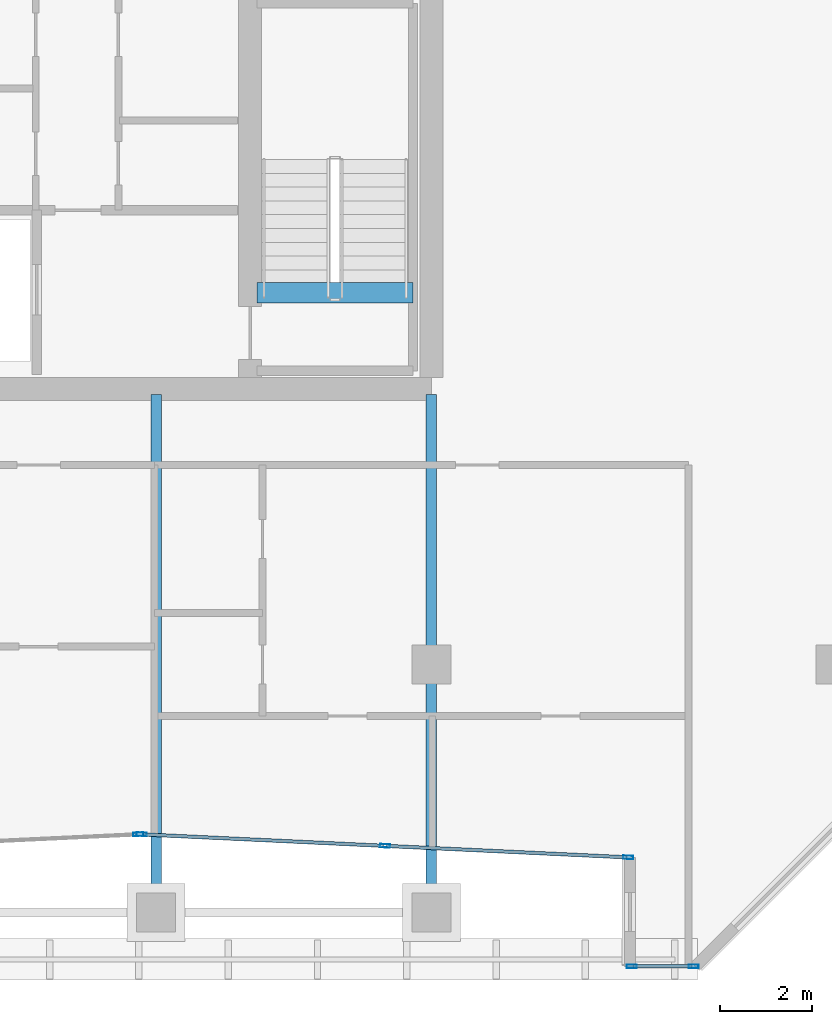
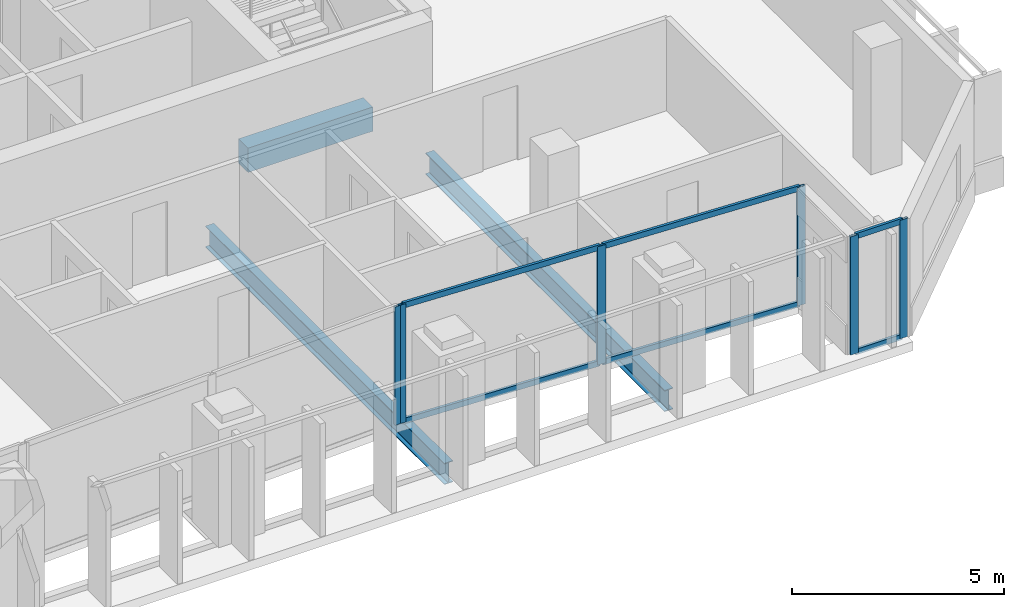
# One storey, part 15 of 29: 12 members, 3 beams, 3 elements without a shape of their own.
"""IFC4 building model written with IfcOpenShell, lengths in metres."""

from ifc_helpers import new_model, si_unit, direction, frame, origin, origin_2d, place, context, subcontext, project, spatial, rectangle, hollow_rectangle, i_section, extrude, material, layer, layer_set, material_profile, profile_set, type_object, element, aggregate, save


model = new_model("IFC4")

# Units and contexts
model_context = context("Model", 3, precision=1e-05, world=origin(), true_north=direction((0.0, 1.0)))
body_context = subcontext(model_context, "Body", "Model", "MODEL_VIEW")
ifc_project = project(units=[si_unit("LENGTHUNIT", "METRE"), si_unit("AREAUNIT", "SQUARE_METRE"), si_unit("VOLUMEUNIT", "CUBIC_METRE"), si_unit("PLANEANGLEUNIT", "RADIAN"), si_unit("MASSUNIT", "GRAM", prefix="KILO")], contexts=[model_context])

# Site, building, storey
site_placement = place(None, origin())
site = spatial("IfcSite", under=ifc_project, at=site_placement, CompositionType="ELEMENT")
building_placement = place(site_placement, origin())
building = spatial("IfcBuilding", under=site, at=building_placement, Name="Tanjung Sevakor Pilgrim Tower", CompositionType="ELEMENT")
storey_placement = place(building_placement, frame((0.0, 0.0, 162.030029296875)))
storey = spatial("IfcBuildingStorey", under=building, at=storey_placement, Name="L45", CompositionType="ELEMENT", Elevation=162.030029296875)

# Beams
ifc_material_1 = material(Name="Steel S355J2", Category="steel")
ifc_material_profile_1 = material_profile(ifc_material_1, i_section(OverallWidth=0.22900390625, OverallDepth=0.6123046875, WebThickness=0.011962890625, FlangeThickness=0.01953125, FilletRadius=0.0126953125, at=origin_2d()))
ifc_profile_set_1 = profile_set([ifc_material_profile_1], Name="Steel S355J2")
beam_type_1 = type_object("IfcBeamType", Name="BM-B-G4-UB_610x229x125", PredefinedType="BEAM", material=ifc_profile_set_1)
for number, where, z_axis, x_axis, name in (
    (1, (84.0, 13.199951171875, -0.526123046875), (0.0, 1.0, 0.0), (-1.0, 0.0, 0.0), "L45 MAIN Girder 025"),
    (2, (90.0, 13.199951171875, -0.526123046875), (0.0, 1.0, 0.0), (-1.0, 0.0, 0.0), "L45 MAIN Girder 027"),
):
    element("IfcBeam", number, at=place(storey_placement, frame(where, z_axis=z_axis, x_axis=x_axis)), inside=storey, type_object=beam_type_1, Name=name, PredefinedType="BEAM", context=body_context, shape_type="SweptSolid", body=[
        extrude(i_section(OverallWidth=0.22900390625, OverallDepth=0.6123046875, WebThickness=0.011962890625, FlangeThickness=0.01953125, FilletRadius=0.0126953125, at=origin_2d()), origin(), (0.0, 0.0, 1.0), 11.284912109375),
    ])
ifc_material_2 = material(Name="Concrete C60/75", Category="concrete")
ifc_material_profile_2 = material_profile(ifc_material_2, rectangle(XDim=0.449951171875, YDim=0.699951171875, at=origin_2d()))
ifc_profile_set_2 = profile_set([ifc_material_profile_2], Name="Concrete C60/75")
beam_type_2 = type_object("IfcBeamType", Name="BM-B-LN3-RC-BM_450x700", PredefinedType="LINTEL", material=ifc_profile_set_2)
beam_placement = place(storey_placement, frame((86.199951171875, 26.699951171875, -0.35009765625), z_axis=(1.0, 0.0, 0.0), x_axis=(0.0, 1.0, 0.0)))
element("IfcBeam", 3, at=beam_placement, inside=storey, type_object=beam_type_2, Name="L45 TS-E1 Stair Threshold Beam", PredefinedType="LINTEL", context=body_context, shape_type="SweptSolid", body=[
    extrude(rectangle(XDim=0.449951171875, YDim=0.699951171875, at=origin_2d()), origin(), (0.0, 0.0, 1.0), 3.400146484375),
])

# Curtain wall, member
ifc_material_3 = material(Name="Aluminium 6063-T6 and Low-E Glass", Category="aluminium")
ifc_layer = layer(ifc_material_3, 0.199951171875)
ifc_layer_set = layer_set([ifc_layer], Name="CW-SYS-PRAY")
curtain_wall_type = type_object("IfcCurtainWallType", Name="CW-SYS-PRAY", PredefinedType="NOTDEFINED", material=ifc_layer_set)
curtain_wall_1_placement = place(storey_placement, origin())
curtain_wall_1 = element("IfcCurtainWall", 4, at=curtain_wall_1_placement, inside=storey, type_object=curtain_wall_type, Name="L45 Curtain Wall CW-PRY-L45-11", PredefinedType="NOTDEFINED")
ifc_material_4 = material(Name="Aluminium 6063-T6", Category="aluminium")
ifc_material_profile_3 = material_profile(ifc_material_4, hollow_rectangle(XDim=0.074951171875, YDim=0.219970703125, WallThickness=0.0048828125, at=origin_2d()))
ifc_profile_set_3 = profile_set([ifc_material_profile_3], Name="Aluminium 6063-T6")
member_type_1 = type_object("IfcMemberType", Name="TYPE-CWM-2", PredefinedType="MULLION", material=ifc_profile_set_3)
member_1_placement = place(storey_placement, frame((83.612548828125, 14.9033203125, 0.0), z_axis=(0.0, 0.0, 1.0), x_axis=(-0.04733271113, 0.998879179109, 0.0)))
member_1 = element("IfcMember", 5, at=member_1_placement, type_object=member_type_1, Name="CW-PRY mullion 3", PredefinedType="MULLION", context=body_context, shape_type="SweptSolid", body=[
    extrude(hollow_rectangle(XDim=0.074951171875, YDim=0.219970703125, WallThickness=0.0048828125, at=origin_2d()), origin(), (0.0, 0.0, 1.0), 3.409912109375),
])
aggregate(curtain_wall_1, [member_1])

# Curtain wall, members
curtain_wall_2_placement = place(storey_placement, origin())
curtain_wall_2 = element("IfcCurtainWall", 6, at=curtain_wall_2_placement, inside=storey, type_object=curtain_wall_type, Name="L45 Curtain Wall CW-PRY-L45-12", PredefinedType="NOTDEFINED")
member_2_placement = place(storey_placement, frame((83.6875, 14.9033203125, 0.0), z_axis=(0.0, 0.0, 1.0), x_axis=(0.04733797195, 0.998878929807, 0.0)))
member_2 = element("IfcMember", 7, at=member_2_placement, type_object=member_type_1, Name="CW-PRY mullion 1", PredefinedType="MULLION", context=body_context, shape_type="SweptSolid", body=[
    extrude(hollow_rectangle(XDim=0.074951171875, YDim=0.219970703125, WallThickness=0.0048828125, at=origin_2d()), origin(), (0.0, 0.0, 1.0), 3.409912109375),
])
member_3_placement = place(storey_placement, frame((88.987548828125, 14.652099609375, 0.0), z_axis=(0.0, 0.0, 1.0), x_axis=(0.04733797195, 0.998878929807, 0.0)))
member_3 = element("IfcMember", 8, at=member_3_placement, type_object=member_type_1, Name="CW-PRY mullion 2", PredefinedType="MULLION", context=body_context, shape_type="SweptSolid", body=[
    extrude(hollow_rectangle(XDim=0.074951171875, YDim=0.219970703125, WallThickness=0.0048828125, at=origin_2d()), origin(), (0.0, 0.0, 1.0), 3.409912109375),
])
member_4_placement = place(storey_placement, frame((94.28759765625, 14.40087890625, 0.0), z_axis=(0.0, 0.0, 1.0), x_axis=(0.04733797195, 0.998878929807, 0.0)))
member_4 = element("IfcMember", 9, at=member_4_placement, type_object=member_type_1, Name="CW-PRY mullion 3", PredefinedType="MULLION", context=body_context, shape_type="SweptSolid", body=[
    extrude(hollow_rectangle(XDim=0.074951171875, YDim=0.219970703125, WallThickness=0.0048828125, at=origin_2d()), origin(), (0.0, 0.0, 1.0), 3.409912109375),
])

curtain_wall_3_placement = place(storey_placement, origin())
curtain_wall_3 = element("IfcCurtainWall", 10, at=curtain_wall_3_placement, inside=storey, type_object=curtain_wall_type, Name="L45 Curtain Wall CW-PRY-L45-14", PredefinedType="NOTDEFINED")
member_5_placement = place(storey_placement, frame((94.362548828125, 12.02490234375, 0.0), z_axis=(0.0, 0.0, 1.0), x_axis=(0.0, 1.0, 0.0)))
member_5 = element("IfcMember", 11, at=member_5_placement, type_object=member_type_1, Name="CW-PRY mullion 1", PredefinedType="MULLION", context=body_context, shape_type="SweptSolid", body=[
    extrude(hollow_rectangle(XDim=0.074951171875, YDim=0.219970703125, WallThickness=0.0048828125, at=origin_2d()), origin(), (0.0, 0.0, 1.0), 3.409912109375),
])
member_6_placement = place(storey_placement, frame((95.710693359375, 12.02490234375, 0.0), z_axis=(0.0, 0.0, 1.0), x_axis=(0.0, 1.0, 0.0)))
member_6 = element("IfcMember", 12, at=member_6_placement, type_object=member_type_1, Name="CW-PRY mullion 2", PredefinedType="MULLION", context=body_context, shape_type="SweptSolid", body=[
    extrude(hollow_rectangle(XDim=0.074951171875, YDim=0.219970703125, WallThickness=0.0048828125, at=origin_2d()), origin(), (0.0, 0.0, 1.0), 3.409912109375),
])

# Member
ifc_material_5 = material(Name="Aluminium 6063-T6", Category="aluminium")
ifc_material_profile_4 = material_profile(ifc_material_5, hollow_rectangle(XDim=0.074951171875, YDim=0.159912109375, WallThickness=0.00439453125, at=origin_2d()))
ifc_profile_set_4 = profile_set([ifc_material_profile_4], Name="Aluminium 6063-T6")
member_type_2 = type_object("IfcMemberType", Name="TYPE-CWT-2", PredefinedType="USERDEFINED", material=ifc_profile_set_4)
member_7_placement = place(storey_placement, frame((83.724853515625, 14.901611328125, 0.037353515625), z_axis=(0.998877305694, -0.047372229945, 0.0), x_axis=(0.047372229945, 0.998877305694, 0.0)))
member_7 = element("IfcMember", 13, at=member_7_placement, type_object=member_type_2, Name="CW-PRY transom 1.1", ObjectType="TRANSOM", PredefinedType="USERDEFINED", context=body_context, shape_type="SweptSolid", body=[
    extrude(hollow_rectangle(XDim=0.074951171875, YDim=0.159912109375, WallThickness=0.00439453125, at=origin_2d()), origin(), (0.0, 0.0, 1.0), 5.23095703125),
])

member_8_placement = place(storey_placement, frame((83.724853515625, 14.901611328125, 3.37255859375), z_axis=(0.998877305694, -0.047372229945, 0.0), x_axis=(0.047372229945, 0.998877305694, 0.0)))
member_8 = element("IfcMember", 14, at=member_8_placement, type_object=member_type_2, Name="CW-PRY transom 1.2", ObjectType="TRANSOM", PredefinedType="USERDEFINED", context=body_context, shape_type="SweptSolid", body=[
    extrude(hollow_rectangle(XDim=0.074951171875, YDim=0.159912109375, WallThickness=0.00439453125, at=origin_2d()), origin(), (0.0, 0.0, 1.0), 5.23095703125),
])

member_9_placement = place(storey_placement, frame((89.02490234375, 14.650390625, 0.037353515625), z_axis=(0.998879513095, -0.047325662381, 0.0), x_axis=(0.047325662381, 0.998879513095, 0.0)))
member_9 = element("IfcMember", 15, at=member_9_placement, type_object=member_type_2, Name="CW-PRY transom 2.1", ObjectType="TRANSOM", PredefinedType="USERDEFINED", context=body_context, shape_type="SweptSolid", body=[
    extrude(hollow_rectangle(XDim=0.074951171875, YDim=0.159912109375, WallThickness=0.00439453125, at=origin_2d()), origin(), (0.0, 0.0, 1.0), 5.23095703125),
])

member_10_placement = place(storey_placement, frame((89.02490234375, 14.650390625, 3.37255859375), z_axis=(0.998879513095, -0.047325662381, 0.0), x_axis=(0.047325662381, 0.998879513095, 0.0)))
member_10 = element("IfcMember", 16, at=member_10_placement, type_object=member_type_2, Name="CW-PRY transom 2.2", ObjectType="TRANSOM", PredefinedType="USERDEFINED", context=body_context, shape_type="SweptSolid", body=[
    extrude(hollow_rectangle(XDim=0.074951171875, YDim=0.159912109375, WallThickness=0.00439453125, at=origin_2d()), origin(), (0.0, 0.0, 1.0), 5.23095703125),
])

aggregate(curtain_wall_2, [member_2, member_3, member_4, member_7, member_8, member_9, member_10])

member_11_placement = place(storey_placement, frame((94.39990234375, 12.02490234375, 0.037353515625), z_axis=(1.0, 0.0, 0.0), x_axis=(0.0, 1.0, 0.0)))
member_11 = element("IfcMember", 17, at=member_11_placement, type_object=member_type_2, Name="CW-PRY transom 1.1", ObjectType="TRANSOM", PredefinedType="USERDEFINED", context=body_context, shape_type="SweptSolid", body=[
    extrude(hollow_rectangle(XDim=0.074951171875, YDim=0.159912109375, WallThickness=0.00439453125, at=origin_2d()), origin(), (0.0, 0.0, 1.0), 1.273193359375),
])

member_12_placement = place(storey_placement, frame((94.39990234375, 12.02490234375, 3.37255859375), z_axis=(1.0, 0.0, 0.0), x_axis=(0.0, 1.0, 0.0)))
member_12 = element("IfcMember", 18, at=member_12_placement, type_object=member_type_2, Name="CW-PRY transom 1.2", ObjectType="TRANSOM", PredefinedType="USERDEFINED", context=body_context, shape_type="SweptSolid", body=[
    extrude(hollow_rectangle(XDim=0.074951171875, YDim=0.159912109375, WallThickness=0.00439453125, at=origin_2d()), origin(), (0.0, 0.0, 1.0), 1.273193359375),
])

aggregate(curtain_wall_3, [member_5, member_6, member_11, member_12])

save(model, "model.ifc")
